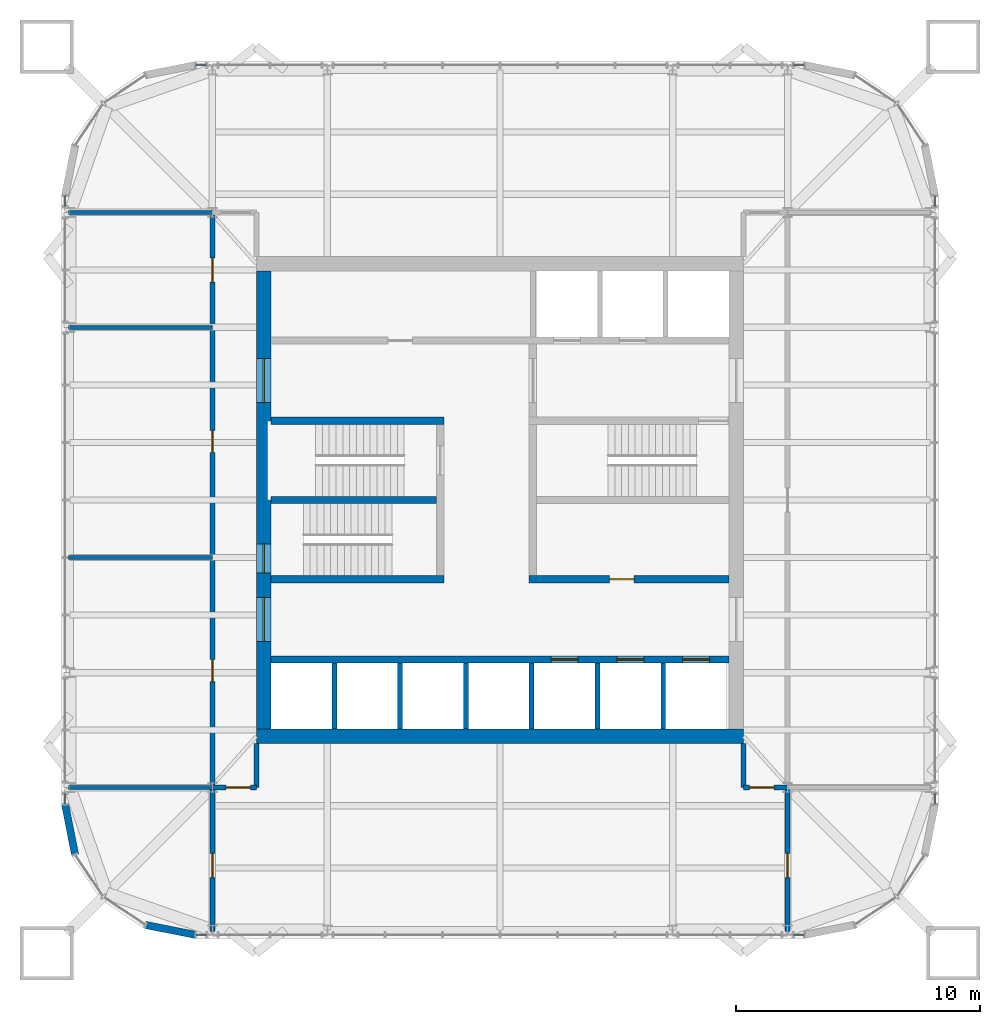
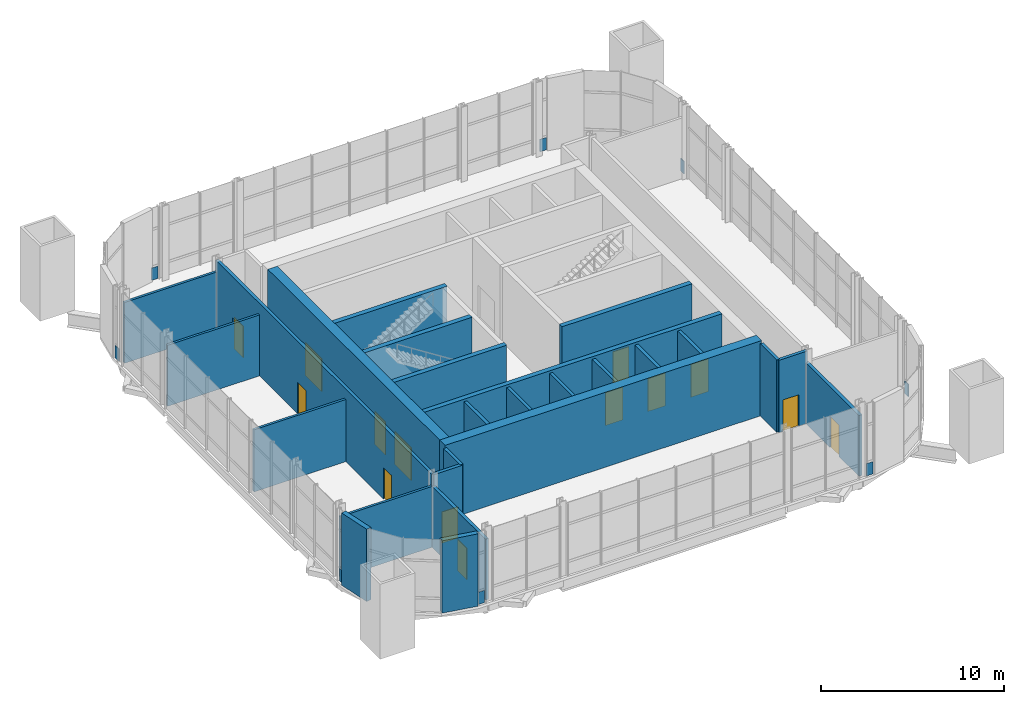
# One storey, part 13 of 15: 26 walls, 14 doors, 8 plates, 14 openings, 8 elements without a shape of their own.
"""IFC4 building model written with IfcOpenShell, lengths in metres."""

from ifc_helpers import new_model, si_unit, direction, frame, frame_2d, origin, origin_2d, place, context, subcontext, project, spatial, rectangle, extrude, material, layer, layer_set, type_object, element, fill, aggregate, save


model = new_model("IFC4")

# Units and contexts
model_context = context("Model", 3, precision=1e-05, world=origin(), true_north=direction((0.0, 1.0)))
body_context = subcontext(model_context, "Body", "Model", "MODEL_VIEW")
ifc_project = project(units=[si_unit("LENGTHUNIT", "METRE"), si_unit("AREAUNIT", "SQUARE_METRE"), si_unit("VOLUMEUNIT", "CUBIC_METRE"), si_unit("PLANEANGLEUNIT", "RADIAN"), si_unit("MASSUNIT", "GRAM", prefix="KILO")], contexts=[model_context])

# Site, building, storey
site_placement = place(None, origin())
site = spatial("IfcSite", under=ifc_project, at=site_placement, CompositionType="ELEMENT")
building_placement = place(site_placement, origin())
building = spatial("IfcBuilding", under=site, at=building_placement, Name="Turquesa Mirador Hotel Tower", CompositionType="ELEMENT")
storey_placement = place(building_placement, frame((0.0, 0.0, 261.699951171875)))
storey = spatial("IfcBuildingStorey", under=building, at=storey_placement, Name="L71", CompositionType="ELEMENT", Elevation=261.699951171875)

# Curtain wall, plate
ifc_material_1 = material(Name="Aluminium extrusion", Category="aluminium")
curtain_wall_type = type_object("IfcCurtainWallType", Name="CW-5 SKY RESTAURANT CURTAIN WALL", PredefinedType="USERDEFINED", material=ifc_material_1)
curtain_wall_1_placement = place(storey_placement, origin())
curtain_wall_1 = element("IfcCurtainWall", 1, at=curtain_wall_1_placement, inside=storey, type_object=curtain_wall_type, Name="CW-5 SKY RESTAURANT CURTAIN WALL L71", ObjectType="CURTAIN WALL", PredefinedType="USERDEFINED")
ifc_material_2 = material(Name="Ceramic-printed spandrel glass on an insulated back pan", Category="glass")
ifc_layer_1 = layer(ifc_material_2, 0.050048828125)
ifc_layer_set_1 = layer_set([ifc_layer_1], Name="CW PANEL SPANDREL CERAMIC")
plate_type = type_object("IfcPlateType", Name="CW PANEL SPANDREL CERAMIC", PredefinedType="CURTAIN_PANEL", material=ifc_layer_set_1)
plate_1_placement = place(storey_placement, frame((72.85009765625, 32.733154296875, 0.0), z_axis=(0.0, 0.0, 1.0), x_axis=(0.0, 1.0, 0.0)))
plate_1 = element("IfcPlate", 2, at=plate_1_placement, type_object=plate_type, Name="Panel", PredefinedType="CURTAIN_PANEL", context=body_context, shape_type="SweptSolid", body=[
    extrude(rectangle(XDim=0.401123046875, YDim=0.050048828125, at=origin_2d()), origin(), (0.0, 0.0, 1.0), 0.824951171875),
])
aggregate(curtain_wall_1, [plate_1])

curtain_wall_2_placement = place(storey_placement, origin())
curtain_wall_2 = element("IfcCurtainWall", 3, at=curtain_wall_2_placement, inside=storey, type_object=curtain_wall_type, Name="CW-5 SKY RESTAURANT CURTAIN WALL L71", ObjectType="CURTAIN WALL", PredefinedType="USERDEFINED")
plate_2_placement = place(storey_placement, frame((72.85009765625, 57.266845703125, 0.0), z_axis=(0.0, 0.0, 1.0), x_axis=(0.0, 1.0, 0.0)))
plate_2 = element("IfcPlate", 4, at=plate_2_placement, type_object=plate_type, Name="Panel", PredefinedType="CURTAIN_PANEL", context=body_context, shape_type="SweptSolid", body=[
    extrude(rectangle(XDim=0.401123046875, YDim=0.050048828125, at=origin_2d()), origin(), (0.0, 0.0, 1.0), 0.824951171875),
])
aggregate(curtain_wall_2, [plate_2])

curtain_wall_3_placement = place(storey_placement, origin())
curtain_wall_3 = element("IfcCurtainWall", 5, at=curtain_wall_3_placement, inside=storey, type_object=curtain_wall_type, Name="CW-5 SKY RESTAURANT CURTAIN WALL L71", ObjectType="CURTAIN WALL", PredefinedType="USERDEFINED")
plate_3_placement = place(storey_placement, frame((67.266845703125, 62.85009765625, 0.0), z_axis=(0.0, 0.0, 1.0), x_axis=(-1.0, 0.0, 0.0)))
plate_3 = element("IfcPlate", 6, at=plate_3_placement, type_object=plate_type, Name="Panel", PredefinedType="CURTAIN_PANEL", context=body_context, shape_type="SweptSolid", body=[
    extrude(rectangle(XDim=0.401123046875, YDim=0.050048828125, at=origin_2d()), origin(), (0.0, 0.0, 1.0), 0.824951171875),
])
aggregate(curtain_wall_3, [plate_3])

curtain_wall_4_placement = place(storey_placement, origin())
curtain_wall_4 = element("IfcCurtainWall", 7, at=curtain_wall_4_placement, inside=storey, type_object=curtain_wall_type, Name="CW-5 SKY RESTAURANT CURTAIN WALL L71", ObjectType="CURTAIN WALL", PredefinedType="USERDEFINED")
plate_4_placement = place(storey_placement, frame((42.733154296875, 62.85009765625, 0.0), z_axis=(0.0, 0.0, 1.0), x_axis=(-1.0, 0.0, 0.0)))
plate_4 = element("IfcPlate", 8, at=plate_4_placement, type_object=plate_type, Name="Panel", PredefinedType="CURTAIN_PANEL", context=body_context, shape_type="SweptSolid", body=[
    extrude(rectangle(XDim=0.401123046875, YDim=0.050048828125, at=origin_2d()), origin(), (0.0, 0.0, 1.0), 0.824951171875),
])
aggregate(curtain_wall_4, [plate_4])

curtain_wall_5_placement = place(storey_placement, origin())
curtain_wall_5 = element("IfcCurtainWall", 9, at=curtain_wall_5_placement, inside=storey, type_object=curtain_wall_type, Name="CW-5 SKY RESTAURANT CURTAIN WALL L71", ObjectType="CURTAIN WALL", PredefinedType="USERDEFINED")
plate_5_placement = place(storey_placement, frame((37.14990234375, 57.266845703125, 0.0), z_axis=(0.0, 0.0, 1.0), x_axis=(0.0, -1.0, 0.0)))
plate_5 = element("IfcPlate", 10, at=plate_5_placement, type_object=plate_type, Name="Panel", PredefinedType="CURTAIN_PANEL", context=body_context, shape_type="SweptSolid", body=[
    extrude(rectangle(XDim=0.401123046875, YDim=0.050048828125, at=origin_2d()), origin(), (0.0, 0.0, 1.0), 0.824951171875),
])
aggregate(curtain_wall_5, [plate_5])

curtain_wall_6_placement = place(storey_placement, origin())
curtain_wall_6 = element("IfcCurtainWall", 11, at=curtain_wall_6_placement, inside=storey, type_object=curtain_wall_type, Name="CW-5 SKY RESTAURANT CURTAIN WALL L71", ObjectType="CURTAIN WALL", PredefinedType="USERDEFINED")
plate_6_placement = place(storey_placement, frame((37.14990234375, 32.733154296875, 0.0), z_axis=(0.0, 0.0, 1.0), x_axis=(0.0, -1.0, 0.0)))
plate_6 = element("IfcPlate", 12, at=plate_6_placement, type_object=plate_type, Name="Panel", PredefinedType="CURTAIN_PANEL", context=body_context, shape_type="SweptSolid", body=[
    extrude(rectangle(XDim=0.401123046875, YDim=0.050048828125, at=origin_2d()), origin(), (0.0, 0.0, 1.0), 0.824951171875),
])
aggregate(curtain_wall_6, [plate_6])

curtain_wall_7_placement = place(storey_placement, origin())
curtain_wall_7 = element("IfcCurtainWall", 13, at=curtain_wall_7_placement, inside=storey, type_object=curtain_wall_type, Name="CW-5 SKY RESTAURANT CURTAIN WALL L71", ObjectType="CURTAIN WALL", PredefinedType="USERDEFINED")
plate_7_placement = place(storey_placement, frame((42.733154296875, 27.14990234375, 0.0), z_axis=(0.0, 0.0, 1.0), x_axis=(1.0, 0.0, 0.0)))
plate_7 = element("IfcPlate", 14, at=plate_7_placement, type_object=plate_type, Name="Panel", PredefinedType="CURTAIN_PANEL", context=body_context, shape_type="SweptSolid", body=[
    extrude(rectangle(XDim=0.401123046875, YDim=0.050048828125, at=origin_2d()), origin(), (0.0, 0.0, 1.0), 0.824951171875),
])
aggregate(curtain_wall_7, [plate_7])

curtain_wall_8_placement = place(storey_placement, origin())
curtain_wall_8 = element("IfcCurtainWall", 15, at=curtain_wall_8_placement, inside=storey, type_object=curtain_wall_type, Name="CW-5 SKY RESTAURANT CURTAIN WALL L71", ObjectType="CURTAIN WALL", PredefinedType="USERDEFINED")
plate_8_placement = place(storey_placement, frame((67.266845703125, 27.14990234375, 0.0), z_axis=(0.0, 0.0, 1.0), x_axis=(1.0, 0.0, 0.0)))
plate_8 = element("IfcPlate", 16, at=plate_8_placement, type_object=plate_type, Name="Panel", PredefinedType="CURTAIN_PANEL", context=body_context, shape_type="SweptSolid", body=[
    extrude(rectangle(XDim=0.401123046875, YDim=0.050048828125, at=origin_2d()), origin(), (0.0, 0.0, 1.0), 0.824951171875),
])
aggregate(curtain_wall_8, [plate_8])

# Wall, openings, doors
ifc_material_3 = material(Name="Concrete C50/60", Category="concrete")
ifc_layer_2 = layer(ifc_material_3, 0.300048828125)
ifc_layer_set_2 = layer_set([ifc_layer_2], Name="CORE INNER WALL 300")
wall_type_1 = type_object("IfcWallType", Name="CORE INNER WALL 300", PredefinedType="SHEAR", material=ifc_layer_set_2)
wall_1_placement = place(storey_placement, frame((45.60009765625, 38.449951171875, 0.0), z_axis=(0.0, 0.0, 1.0), x_axis=(1.0, 0.0, 0.0)))
wall_1 = element("IfcWall", 17, at=wall_1_placement, inside=storey, type_object=wall_type_1, Name="Core wall SL", PredefinedType="SHEAR", context=body_context, shape_type="SweptSolid", body=[
    extrude(rectangle(XDim=18.7998046875, YDim=0.300048828125, at=frame_2d((9.39990234375, 0.0))), origin(), (0.0, 0.0, 1.0), 5.0),
])
opening_1_placement = place(wall_1_placement, frame((11.5, 0.0, 0.0)))
opening_1 = element("IfcOpeningElement", 18, at=opening_1_placement, cuts=wall_1, Name="Opening LD", PredefinedType="OPENING", context=body_context, shape_type="SweptSolid", body=[
    extrude(rectangle(XDim=1.10009765625, YDim=2.199951171875, at=frame_2d((0.550048828125, 1.10009765625))), frame((0.0, 0.159912109375, 0.0), z_axis=(0.0, -1.0, 0.0), x_axis=(1.0, 0.0, 0.0)), (0.0, 0.0, 1.0), 0.320068359375),
])
opening_2_placement = place(wall_1_placement, frame((14.199951171875, 0.0, 0.0)))
opening_2 = element("IfcOpeningElement", 19, at=opening_2_placement, cuts=wall_1, Name="Opening LD", PredefinedType="OPENING", context=body_context, shape_type="SweptSolid", body=[
    extrude(rectangle(XDim=1.10009765625, YDim=2.199951171875, at=frame_2d((0.550048828125, 1.10009765625))), frame((0.0, 0.159912109375, 0.0), z_axis=(0.0, -1.0, 0.0), x_axis=(1.0, 0.0, 0.0)), (0.0, 0.0, 1.0), 0.320068359375),
])
opening_3_placement = place(wall_1_placement, frame((16.89990234375, 0.0, 0.0)))
opening_3 = element("IfcOpeningElement", 20, at=opening_3_placement, cuts=wall_1, Name="Opening LD", PredefinedType="OPENING", context=body_context, shape_type="SweptSolid", body=[
    extrude(rectangle(XDim=1.10009765625, YDim=2.199951171875, at=frame_2d((0.550048828125, 1.10009765625))), frame((0.0, 0.159912109375, 0.0), z_axis=(0.0, -1.0, 0.0), x_axis=(1.0, 0.0, 0.0)), (0.0, 0.0, 1.0), 0.320068359375),
])
ifc_material_4 = material(Name="Stainless steel lift landing door", Category="steel")
door_type_1 = type_object("IfcDoorType", Name="LIFT LANDING DOOR 1100X2200", OperationType="SLIDING_TO_LEFT", PredefinedType="DOOR", material=ifc_material_4)
door_1_placement = place(opening_1_placement, origin())
door_1 = element("IfcDoor", 21, at=door_1_placement, inside=storey, type_object=door_type_1, Name="Lift X1 landing door", OperationType="SLIDING_TO_LEFT", OverallHeight=2.199951171875, OverallWidth=1.10009765625, PredefinedType="DOOR", context=body_context, shape_type="SweptSolid", body=[
    extrude(rectangle(XDim=1.10009765625, YDim=2.199951171875, at=frame_2d((0.550048828125, 1.10009765625))), frame((0.0, 0.02490234375, 0.0), z_axis=(0.0, -1.0, 0.0), x_axis=(1.0, 0.0, 0.0)), (0.0, 0.0, 1.0), 0.050048828125),
])
fill(opening_1, door_1)
door_2_placement = place(opening_2_placement, origin())
door_2 = element("IfcDoor", 22, at=door_2_placement, inside=storey, type_object=door_type_1, Name="Lift X2 landing door", OperationType="SLIDING_TO_LEFT", OverallHeight=2.199951171875, OverallWidth=1.10009765625, PredefinedType="DOOR", context=body_context, shape_type="SweptSolid", body=[
    extrude(rectangle(XDim=1.10009765625, YDim=2.199951171875, at=frame_2d((0.550048828125, 1.10009765625))), frame((0.0, 0.02490234375, 0.0), z_axis=(0.0, -1.0, 0.0), x_axis=(1.0, 0.0, 0.0)), (0.0, 0.0, 1.0), 0.050048828125),
])
fill(opening_2, door_2)
door_3_placement = place(opening_3_placement, origin())
door_3 = element("IfcDoor", 23, at=door_3_placement, inside=storey, type_object=door_type_1, Name="Lift X3 landing door", OperationType="SLIDING_TO_LEFT", OverallHeight=2.199951171875, OverallWidth=1.10009765625, PredefinedType="DOOR", context=body_context, shape_type="SweptSolid", body=[
    extrude(rectangle(XDim=1.10009765625, YDim=2.199951171875, at=frame_2d((0.550048828125, 1.10009765625))), frame((0.0, 0.02490234375, 0.0), z_axis=(0.0, -1.0, 0.0), x_axis=(1.0, 0.0, 0.0)), (0.0, 0.0, 1.0), 0.050048828125),
])
fill(opening_3, door_3)

# Walls
for number, where, z_axis, x_axis, name in (
    (24, (45.60009765625, 48.25, 0.0), (0.0, 0.0, 1.0), (1.0, 0.0, 0.0), "Core wall MN-W"),
    (25, (45.60009765625, 41.75, 0.0), (0.0, 0.0, 1.0), (1.0, 0.0, 0.0), "Core wall MS-W"),
):
    element("IfcWall", number, at=place(storey_placement, frame(where, z_axis=z_axis, x_axis=x_axis)), inside=storey, type_object=wall_type_1, Name=name, PredefinedType="SHEAR", context=body_context, shape_type="SweptSolid", body=[
        extrude(rectangle(XDim=7.099853515625, YDim=0.300048828125, at=frame_2d((3.5498046875, 0.0))), origin(), (0.0, 0.0, 1.0), 5.0),
    ])

# Wall, opening, door
wall_2_placement = place(storey_placement, frame((56.199951171875, 41.75, 0.0), z_axis=(0.0, 0.0, 1.0), x_axis=(1.0, 0.0, 0.0)))
wall_2 = element("IfcWall", 26, at=wall_2_placement, inside=storey, type_object=wall_type_1, Name="Core wall MS-E", PredefinedType="SHEAR", context=body_context, shape_type="SweptSolid", body=[
    extrude(rectangle(XDim=8.199951171875, YDim=0.300048828125, at=frame_2d((4.10009765625, 0.0))), origin(), (0.0, 0.0, 1.0), 5.0),
])
opening_4_placement = place(wall_2_placement, frame((3.300048828125, 0.0, 0.0)))
opening_4 = element("IfcOpeningElement", 27, at=opening_4_placement, cuts=wall_2, Name="Opening D05", PredefinedType="OPENING", context=body_context, shape_type="SweptSolid", body=[
    extrude(rectangle(XDim=1.0, YDim=2.10009765625, at=frame_2d((0.5, 1.050048828125))), frame((0.0, 0.159912109375, 0.0), z_axis=(0.0, -1.0, 0.0), x_axis=(1.0, 0.0, 0.0)), (0.0, 0.0, 1.0), 0.320068359375),
])
ifc_material_5 = material(Name="Steel fire door", Category="steel")
door_type_2 = type_object("IfcDoorType", Name="DOOR 1000X2100 SERVICE", OperationType="SINGLE_SWING_LEFT", PredefinedType="DOOR", material=ifc_material_5)
door_4_placement = place(opening_4_placement, origin())
door_4 = element("IfcDoor", 28, at=door_4_placement, inside=storey, type_object=door_type_2, Name="Housekeeping room door", OperationType="SINGLE_SWING_LEFT", OverallHeight=2.10009765625, OverallWidth=1.0, PredefinedType="DOOR", context=body_context, shape_type="SweptSolid", body=[
    extrude(rectangle(XDim=1.0, YDim=2.10009765625, at=frame_2d((0.5, 1.050048828125))), frame((0.0, 0.02490234375, 0.0), z_axis=(0.0, -1.0, 0.0), x_axis=(1.0, 0.0, 0.0)), (0.0, 0.0, 1.0), 0.050048828125),
])
fill(opening_4, door_4)

# Walls
wall_3_placement = place(storey_placement, frame((45.60009765625, 45.0, 0.0), z_axis=(0.0, 0.0, 1.0), x_axis=(1.0, 0.0, 0.0)))
element("IfcWall", 29, at=wall_3_placement, inside=storey, type_object=wall_type_1, Name="Core wall M0-W", PredefinedType="SHEAR", context=body_context, shape_type="SweptSolid", body=[
    extrude(rectangle(XDim=6.7998046875, YDim=0.300048828125, at=frame_2d((3.39990234375, 0.0))), origin(), (0.0, 0.0, 1.0), 5.0),
])
ifc_material_6 = material(Name="Concrete C50/60", Category="concrete")
ifc_layer_3 = layer(ifc_material_6, 0.60009765625)
ifc_layer_set_3 = layer_set([ifc_layer_3], Name="CORE WALL 600")
wall_type_2 = type_object("IfcWallType", Name="CORE WALL 600", PredefinedType="SHEAR", material=ifc_layer_set_3)
wall_4_placement = place(storey_placement, frame((45.0, 35.300048828125, 0.0), z_axis=(0.0, 0.0, 1.0), x_axis=(1.0, 0.0, 0.0)))
element("IfcWall", 30, at=wall_4_placement, inside=storey, type_object=wall_type_2, Name="Core wall S", PredefinedType="SHEAR", context=body_context, shape_type="SweptSolid", body=[
    extrude(rectangle(XDim=20.0, YDim=0.60009765625, at=frame_2d((10.0, 0.0))), origin(), (0.0, 0.0, 1.0), 5.0),
])

# Wall, openings, doors
wall_5_placement = place(storey_placement, frame((45.300048828125, 35.60009765625, 0.0), z_axis=(0.0, 0.0, 1.0), x_axis=(0.0, 1.0, 0.0)))
wall_5 = element("IfcWall", 31, at=wall_5_placement, inside=storey, type_object=wall_type_2, Name="Core wall W", PredefinedType="SHEAR", context=body_context, shape_type="SweptSolid", body=[
    extrude(rectangle(XDim=18.7998046875, YDim=0.60009765625, at=frame_2d((9.39990234375, 0.0))), origin(), (0.0, 0.0, 1.0), 5.0),
])
opening_5_placement = place(wall_5_placement, frame((13.39990234375, 0.0, 0.0)))
opening_5 = element("IfcOpeningElement", 32, at=opening_5_placement, cuts=wall_5, Name="Opening D04", PredefinedType="OPENING", context=body_context, shape_type="SweptSolid", body=[
    extrude(rectangle(XDim=1.800048828125, YDim=2.199951171875, at=frame_2d((0.89990234375, 1.10009765625))), frame((0.0, 0.31005859375, 0.0), z_axis=(0.0, -1.0, 0.0), x_axis=(1.0, 0.0, 0.0)), (0.0, 0.0, 1.0), 0.6201171875),
])
opening_6_placement = place(wall_5_placement, frame((3.60009765625, 0.0, 0.0)))
opening_6 = element("IfcOpeningElement", 33, at=opening_6_placement, cuts=wall_5, Name="Opening D04", PredefinedType="OPENING", context=body_context, shape_type="SweptSolid", body=[
    extrude(rectangle(XDim=1.800048828125, YDim=2.199951171875, at=frame_2d((0.89990234375, 1.10009765625))), frame((0.0, 0.31005859375, 0.0), z_axis=(0.0, -1.0, 0.0), x_axis=(1.0, 0.0, 0.0)), (0.0, 0.0, 1.0), 0.6201171875),
])
opening_7_placement = place(wall_5_placement, frame((6.39990234375, 0.0, 0.0)))
opening_7 = element("IfcOpeningElement", 34, at=opening_7_placement, cuts=wall_5, Name="Opening D03", PredefinedType="OPENING", context=body_context, shape_type="SweptSolid", body=[
    extrude(rectangle(XDim=1.199951171875, YDim=2.199951171875, at=frame_2d((0.60009765625, 1.10009765625))), frame((0.0, 0.31005859375, 0.0), z_axis=(0.0, -1.0, 0.0), x_axis=(1.0, 0.0, 0.0)), (0.0, 0.0, 1.0), 0.6201171875),
])
ifc_material_7 = material(Name="Steel fire door", Category="steel")
door_type_3 = type_object("IfcDoorType", Name="DOOR 1200X2200 STAIR", OperationType="SINGLE_SWING_LEFT", PredefinedType="DOOR", material=ifc_material_7)
door_5_placement = place(opening_7_placement, origin())
door_5 = element("IfcDoor", 35, at=door_5_placement, inside=storey, type_object=door_type_3, Name="Stair ST2 door", OperationType="SINGLE_SWING_LEFT", OverallHeight=2.199951171875, OverallWidth=1.199951171875, PredefinedType="DOOR", context=body_context, shape_type="SweptSolid", body=[
    extrude(rectangle(XDim=1.199951171875, YDim=2.199951171875, at=frame_2d((0.60009765625, 1.10009765625))), frame((0.0, 0.02490234375, 0.0), z_axis=(0.0, -1.0, 0.0), x_axis=(1.0, 0.0, 0.0)), (0.0, 0.0, 1.0), 0.050048828125),
])
fill(opening_7, door_5)
ifc_material_8 = material(Name="Steel fire door pair", Category="steel")
door_type_4 = type_object("IfcDoorType", Name="DOOR 1800X2200 PAIR", OperationType="DOUBLE_DOOR_SINGLE_SWING", PredefinedType="DOOR", material=ifc_material_8)
door_6_placement = place(opening_5_placement, origin())
door_6 = element("IfcDoor", 36, at=door_6_placement, inside=storey, type_object=door_type_4, Name="North lift lobby door", OperationType="DOUBLE_DOOR_SINGLE_SWING", OverallHeight=2.199951171875, OverallWidth=1.800048828125, PredefinedType="DOOR", context=body_context, shape_type="SweptSolid", body=[
    extrude(rectangle(XDim=1.800048828125, YDim=2.199951171875, at=frame_2d((0.89990234375, 1.10009765625))), frame((0.0, 0.02490234375, 0.0), z_axis=(0.0, -1.0, 0.0), x_axis=(1.0, 0.0, 0.0)), (0.0, 0.0, 1.0), 0.050048828125),
])
fill(opening_5, door_6)
door_7_placement = place(opening_6_placement, origin())
door_7 = element("IfcDoor", 37, at=door_7_placement, inside=storey, type_object=door_type_4, Name="South lift lobby door", OperationType="DOUBLE_DOOR_SINGLE_SWING", OverallHeight=2.199951171875, OverallWidth=1.800048828125, PredefinedType="DOOR", context=body_context, shape_type="SweptSolid", body=[
    extrude(rectangle(XDim=1.800048828125, YDim=2.199951171875, at=frame_2d((0.89990234375, 1.10009765625))), frame((0.0, 0.02490234375, 0.0), z_axis=(0.0, -1.0, 0.0), x_axis=(1.0, 0.0, 0.0)), (0.0, 0.0, 1.0), 0.050048828125),
])
fill(opening_6, door_7)

# Wall, opening, door
ifc_material_9 = material(Name="Fire-rated gypsum board on steel studs", Category="steel")
ifc_layer_4 = layer(ifc_material_9, 0.199951171875)
ifc_layer_set_4 = layer_set([ifc_layer_4], Name="CORRIDOR WALL 200")
wall_type_3 = type_object("IfcWallType", Name="CORRIDOR WALL 200", PredefinedType="PARTITIONING", material=ifc_layer_set_4)
wall_6_placement = place(storey_placement, frame((43.199951171875, 33.199951171875, 0.0), z_axis=(0.0, 0.0, 1.0), x_axis=(1.0, 0.0, 0.0)))
wall_6 = element("IfcWall", 38, at=wall_6_placement, inside=storey, type_object=wall_type_3, Name="Partition L71 001", PredefinedType="PARTITIONING", context=body_context, shape_type="SweptSolid", body=[
    extrude(rectangle(XDim=1.800048828125, YDim=0.199951171875, at=frame_2d((0.89990234375, 0.0))), origin(), (0.0, 0.0, 1.0), 4.830078125),
])
opening_8_placement = place(wall_6_placement, frame((0.550048828125, 0.0, 0.0)))
opening_8 = element("IfcOpeningElement", 39, at=opening_8_placement, cuts=wall_6, Name="Opening D05", PredefinedType="OPENING", context=body_context, shape_type="SweptSolid", body=[
    extrude(rectangle(XDim=1.0, YDim=2.10009765625, at=frame_2d((0.5, 1.050048828125))), frame((0.0, 0.10986328125, 0.0), z_axis=(0.0, -1.0, 0.0), x_axis=(1.0, 0.0, 0.0)), (0.0, 0.0, 1.0), 0.219970703125),
])
door_8_placement = place(opening_8_placement, origin())
door_8 = element("IfcDoor", 40, at=door_8_placement, inside=storey, type_object=door_type_2, Name="Door L71-02", OperationType="SINGLE_SWING_LEFT", OverallHeight=2.10009765625, OverallWidth=1.0, PredefinedType="DOOR", context=body_context, shape_type="SweptSolid", body=[
    extrude(rectangle(XDim=1.0, YDim=2.10009765625, at=frame_2d((0.5, 1.050048828125))), frame((0.0, 0.02490234375, 0.0), z_axis=(0.0, -1.0, 0.0), x_axis=(1.0, 0.0, 0.0)), (0.0, 0.0, 1.0), 0.050048828125),
])
fill(opening_8, door_8)

wall_7_placement = place(storey_placement, frame((65.0, 33.199951171875, 0.0), z_axis=(0.0, 0.0, 1.0), x_axis=(1.0, 0.0, 0.0)))
wall_7 = element("IfcWall", 41, at=wall_7_placement, inside=storey, type_object=wall_type_3, Name="Partition L71 002", PredefinedType="PARTITIONING", context=body_context, shape_type="SweptSolid", body=[
    extrude(rectangle(XDim=1.800048828125, YDim=0.199951171875, at=frame_2d((0.89990234375, 0.0))), origin(), (0.0, 0.0, 1.0), 4.830078125),
])
opening_9_placement = place(wall_7_placement, frame((0.25, 0.0, 0.0)))
opening_9 = element("IfcOpeningElement", 42, at=opening_9_placement, cuts=wall_7, Name="Opening D05", PredefinedType="OPENING", context=body_context, shape_type="SweptSolid", body=[
    extrude(rectangle(XDim=1.0, YDim=2.10009765625, at=frame_2d((0.5, 1.050048828125))), frame((0.0, 0.10986328125, 0.0), z_axis=(0.0, -1.0, 0.0), x_axis=(1.0, 0.0, 0.0)), (0.0, 0.0, 1.0), 0.219970703125),
])
door_9_placement = place(opening_9_placement, origin())
door_9 = element("IfcDoor", 43, at=door_9_placement, inside=storey, type_object=door_type_2, Name="Door L71-02-1", OperationType="SINGLE_SWING_LEFT", OverallHeight=2.10009765625, OverallWidth=1.0, PredefinedType="DOOR", context=body_context, shape_type="SweptSolid", body=[
    extrude(rectangle(XDim=1.0, YDim=2.10009765625, at=frame_2d((0.5, 1.050048828125))), frame((0.0, 0.02490234375, 0.0), z_axis=(0.0, -1.0, 0.0), x_axis=(1.0, 0.0, 0.0)), (0.0, 0.0, 1.0), 0.050048828125),
])
fill(opening_9, door_9)

# Wall
wall_8_placement = place(storey_placement, frame((45.0, 33.199951171875, 0.0), z_axis=(0.0, 0.0, 1.0), x_axis=(0.0, 1.0, 0.0)))
element("IfcWall", 44, at=wall_8_placement, inside=storey, type_object=wall_type_3, Name="Partition L71 011", PredefinedType="PARTITIONING", context=body_context, shape_type="SweptSolid", body=[
    extrude(rectangle(XDim=1.800048828125, YDim=0.199951171875, at=frame_2d((0.89990234375, 0.0))), origin(), (0.0, 0.0, 1.0), 4.830078125),
])

# Wall, openings, doors
wall_9_placement = place(storey_placement, frame((43.199951171875, 33.199951171875, 0.0), z_axis=(0.0, 0.0, 1.0), x_axis=(0.0, 1.0, 0.0)))
wall_9 = element("IfcWall", 45, at=wall_9_placement, inside=storey, type_object=wall_type_3, Name="Partition L71 013", PredefinedType="PARTITIONING", context=body_context, shape_type="SweptSolid", body=[
    extrude(rectangle(XDim=23.60009765625, YDim=0.199951171875, at=frame_2d((11.800048828125, 0.0))), origin(), (0.0, 0.0, 1.0), 4.830078125),
])
opening_10_placement = place(wall_9_placement, frame((20.739990234375, 0.0, 0.0)))
opening_10 = element("IfcOpeningElement", 46, at=opening_10_placement, cuts=wall_9, Name="Opening D07", PredefinedType="OPENING", context=body_context, shape_type="SweptSolid", body=[
    extrude(rectangle(XDim=1.0, YDim=2.10009765625, at=frame_2d((0.5, 1.050048828125))), frame((0.0, 0.10986328125, 0.0), z_axis=(0.0, -1.0, 0.0), x_axis=(1.0, 0.0, 0.0)), (0.0, 0.0, 1.0), 0.219970703125),
])
opening_11_placement = place(wall_9_placement, frame((4.35009765625, 0.0, 0.0)))
opening_11 = element("IfcOpeningElement", 47, at=opening_11_placement, cuts=wall_9, Name="Opening D06", PredefinedType="OPENING", context=body_context, shape_type="SweptSolid", body=[
    extrude(rectangle(XDim=0.89990234375, YDim=2.10009765625, at=frame_2d((0.449951171875, 1.050048828125))), frame((0.0, 0.10986328125, 0.0), z_axis=(0.0, -1.0, 0.0), x_axis=(1.0, 0.0, 0.0)), (0.0, 0.0, 1.0), 0.219970703125),
])
opening_12_placement = place(wall_9_placement, frame((13.75, 0.0, 0.0)))
opening_12 = element("IfcOpeningElement", 48, at=opening_12_placement, cuts=wall_9, Name="Opening D06", PredefinedType="OPENING", context=body_context, shape_type="SweptSolid", body=[
    extrude(rectangle(XDim=0.89990234375, YDim=2.10009765625, at=frame_2d((0.449951171875, 1.050048828125))), frame((0.0, 0.10986328125, 0.0), z_axis=(0.0, -1.0, 0.0), x_axis=(1.0, 0.0, 0.0)), (0.0, 0.0, 1.0), 0.219970703125),
])
ifc_material_10 = material(Name="Laminate sliding door", Category="wood")
door_type_5 = type_object("IfcDoorType", Name="DOOR 1000X2100 ACCESSIBLE WC", OperationType="SLIDING_TO_LEFT", PredefinedType="DOOR", material=ifc_material_10)
door_10_placement = place(opening_10_placement, origin())
door_10 = element("IfcDoor", 49, at=door_10_placement, inside=storey, type_object=door_type_5, Name="Door L71-08", OperationType="SLIDING_TO_LEFT", OverallHeight=2.10009765625, OverallWidth=1.0, PredefinedType="DOOR", context=body_context, shape_type="SweptSolid", body=[
    extrude(rectangle(XDim=1.0, YDim=2.10009765625, at=frame_2d((0.5, 1.050048828125))), frame((0.0, 0.02490234375, 0.0), z_axis=(0.0, -1.0, 0.0), x_axis=(1.0, 0.0, 0.0)), (0.0, 0.0, 1.0), 0.050048828125),
])
fill(opening_10, door_10)
ifc_material_11 = material(Name="Laminate door", Category="wood")
door_type_6 = type_object("IfcDoorType", Name="DOOR 900X2100 WC", OperationType="SINGLE_SWING_LEFT", PredefinedType="DOOR", material=ifc_material_11)
door_11_placement = place(opening_11_placement, origin())
door_11 = element("IfcDoor", 50, at=door_11_placement, inside=storey, type_object=door_type_6, Name="Door L71-06", OperationType="SINGLE_SWING_LEFT", OverallHeight=2.10009765625, OverallWidth=0.89990234375, PredefinedType="DOOR", context=body_context, shape_type="SweptSolid", body=[
    extrude(rectangle(XDim=0.89990234375, YDim=2.10009765625, at=frame_2d((0.449951171875, 1.050048828125))), frame((0.0, 0.02490234375, 0.0), z_axis=(0.0, -1.0, 0.0), x_axis=(1.0, 0.0, 0.0)), (0.0, 0.0, 1.0), 0.050048828125),
])
fill(opening_11, door_11)
door_12_placement = place(opening_12_placement, origin())
door_12 = element("IfcDoor", 51, at=door_12_placement, inside=storey, type_object=door_type_6, Name="Door L71-07", OperationType="SINGLE_SWING_LEFT", OverallHeight=2.10009765625, OverallWidth=0.89990234375, PredefinedType="DOOR", context=body_context, shape_type="SweptSolid", body=[
    extrude(rectangle(XDim=0.89990234375, YDim=2.10009765625, at=frame_2d((0.449951171875, 1.050048828125))), frame((0.0, 0.02490234375, 0.0), z_axis=(0.0, -1.0, 0.0), x_axis=(1.0, 0.0, 0.0)), (0.0, 0.0, 1.0), 0.050048828125),
])
fill(opening_12, door_12)

# Walls
wall_10_placement = place(storey_placement, frame((65.0, 33.199951171875, 0.0), z_axis=(0.0, 0.0, 1.0), x_axis=(0.0, 1.0, 0.0)))
element("IfcWall", 52, at=wall_10_placement, inside=storey, type_object=wall_type_3, Name="Partition L71 015", PredefinedType="PARTITIONING", context=body_context, shape_type="SweptSolid", body=[
    extrude(rectangle(XDim=1.800048828125, YDim=0.199951171875, at=frame_2d((0.89990234375, 0.0))), origin(), (0.0, 0.0, 1.0), 4.830078125),
])
ifc_material_12 = material(Name="Limestone cladding on concrete block", Category="masonry")
ifc_layer_5 = layer(ifc_material_12, 0.300048828125)
ifc_layer_set_5 = layer_set([ifc_layer_5], Name="FACADE WALL 300 STONE PIER")
wall_type_4 = type_object("IfcWallType", Name="FACADE WALL 300 STONE PIER", PredefinedType="SOLIDWALL", material=ifc_layer_set_5)
for number, where, z_axis, x_axis, name in (
    (53, (37.14990234375, 32.5, 0.0), (0.0, 0.0, 1.0), (0.195081421501, -0.980787050784, 0.0), "Facade wall L71 bay CWR-L71-06 00"),
    (54, (40.45263671875, 27.55712890625, 0.0), (0.0, 0.0, 1.0), (0.980787050784, -0.195081421501, 0.0), "Facade wall L71 bay CWR-L71-06 03"),
):
    element("IfcWall", number, at=place(storey_placement, frame(where, z_axis=z_axis, x_axis=x_axis)), inside=storey, type_object=wall_type_4, Name=name, PredefinedType="SOLIDWALL", context=body_context, shape_type="SweptSolid", body=[
        extrude(rectangle(XDim=2.08740234375, YDim=0.300048828125, at=frame_2d((1.043701171875, 0.0))), origin(), (0.0, 0.0, 1.0), 4.830078125),
    ])

# Wall, opening, door
ifc_material_13 = material(Name="Fire-rated gypsum board on steel studs", Category="steel")
ifc_layer_6 = layer(ifc_material_13, 0.199951171875)
ifc_layer_set_6 = layer_set([ifc_layer_6], Name="FIRE PARTITION 200")
wall_type_5 = type_object("IfcWallType", Name="FIRE PARTITION 200", PredefinedType="PARTITIONING", material=ifc_layer_set_6)
wall_11_placement = place(storey_placement, frame((43.199951171875, 27.300048828125, 0.0), z_axis=(0.0, 0.0, 1.0), x_axis=(0.0, 1.0, 0.0)))
wall_11 = element("IfcWall", 55, at=wall_11_placement, inside=storey, type_object=wall_type_5, Name="Partition L71 014", PredefinedType="PARTITIONING", context=body_context, shape_type="SweptSolid", body=[
    extrude(rectangle(XDim=5.89990234375, YDim=0.199951171875, at=frame_2d((2.949951171875, 0.0))), origin(), (0.0, 0.0, 1.0), 4.068115234375),
])
opening_13_placement = place(wall_11_placement, frame((2.199951171875, 0.0, 0.0)))
opening_13 = element("IfcOpeningElement", 56, at=opening_13_placement, cuts=wall_11, Name="Opening D05", PredefinedType="OPENING", context=body_context, shape_type="SweptSolid", body=[
    extrude(rectangle(XDim=1.0, YDim=2.10009765625, at=frame_2d((0.5, 1.050048828125))), frame((0.0, 0.10986328125, 0.0), z_axis=(0.0, -1.0, 0.0), x_axis=(1.0, 0.0, 0.0)), (0.0, 0.0, 1.0), 0.219970703125),
])
door_13_placement = place(opening_13_placement, origin())
door_13 = element("IfcDoor", 57, at=door_13_placement, inside=storey, type_object=door_type_2, Name="Door L71-04", OperationType="SINGLE_SWING_LEFT", OverallHeight=2.10009765625, OverallWidth=1.0, PredefinedType="DOOR", context=body_context, shape_type="SweptSolid", body=[
    extrude(rectangle(XDim=1.0, YDim=2.10009765625, at=frame_2d((0.5, 1.050048828125))), frame((0.0, 0.02490234375, 0.0), z_axis=(0.0, -1.0, 0.0), x_axis=(1.0, 0.0, 0.0)), (0.0, 0.0, 1.0), 0.050048828125),
])
fill(opening_13, door_13)

wall_12_placement = place(storey_placement, frame((66.800048828125, 27.300048828125, 0.0), z_axis=(0.0, 0.0, 1.0), x_axis=(0.0, 1.0, 0.0)))
wall_12 = element("IfcWall", 58, at=wall_12_placement, inside=storey, type_object=wall_type_5, Name="Partition L71 018", PredefinedType="PARTITIONING", context=body_context, shape_type="SweptSolid", body=[
    extrude(rectangle(XDim=5.89990234375, YDim=0.199951171875, at=frame_2d((2.949951171875, 0.0))), origin(), (0.0, 0.0, 1.0), 4.068115234375),
])
opening_14_placement = place(wall_12_placement, frame((2.199951171875, 0.0, 0.0)))
opening_14 = element("IfcOpeningElement", 59, at=opening_14_placement, cuts=wall_12, Name="Opening D05", PredefinedType="OPENING", context=body_context, shape_type="SweptSolid", body=[
    extrude(rectangle(XDim=1.0, YDim=2.10009765625, at=frame_2d((0.5, 1.050048828125))), frame((0.0, 0.10986328125, 0.0), z_axis=(0.0, -1.0, 0.0), x_axis=(1.0, 0.0, 0.0)), (0.0, 0.0, 1.0), 0.219970703125),
])
door_14_placement = place(opening_14_placement, origin())
door_14 = element("IfcDoor", 60, at=door_14_placement, inside=storey, type_object=door_type_2, Name="Door L71-03", OperationType="SINGLE_SWING_LEFT", OverallHeight=2.10009765625, OverallWidth=1.0, PredefinedType="DOOR", context=body_context, shape_type="SweptSolid", body=[
    extrude(rectangle(XDim=1.0, YDim=2.10009765625, at=frame_2d((0.5, 1.050048828125))), frame((0.0, 0.02490234375, 0.0), z_axis=(0.0, -1.0, 0.0), x_axis=(1.0, 0.0, 0.0)), (0.0, 0.0, 1.0), 0.050048828125),
])
fill(opening_14, door_14)

# Walls
ifc_material_14 = material(Name="Fire-rated gypsum shaft wall on steel studs", Category="steel")
ifc_layer_7 = layer(ifc_material_14, 0.199951171875)
ifc_layer_set_7 = layer_set([ifc_layer_7], Name="LIFT SHAFT DIVIDER 200")
wall_type_6 = type_object("IfcWallType", Name="LIFT SHAFT DIVIDER 200", PredefinedType="PARTITIONING", material=ifc_layer_set_7)
for number, where, z_axis, x_axis, name in (
    (61, (48.199951171875, 35.60009765625, 0.0), (0.0, 0.0, 1.0), (0.0, 1.0, 0.0), "Lift shaft divider"),
    (62, (50.89990234375, 35.60009765625, 0.0), (0.0, 0.0, 1.0), (0.0, 1.0, 0.0), "Lift shaft divider"),
    (63, (53.60009765625, 35.60009765625, 0.0), (0.0, 0.0, 1.0), (0.0, 1.0, 0.0), "Lift shaft divider"),
    (64, (56.300048828125, 35.60009765625, 0.0), (0.0, 0.0, 1.0), (0.0, 1.0, 0.0), "Lift shaft divider"),
    (65, (59.0, 35.60009765625, 0.0), (0.0, 0.0, 1.0), (0.0, 1.0, 0.0), "Lift shaft divider"),
    (66, (61.699951171875, 35.60009765625, 0.0), (0.0, 0.0, 1.0), (0.0, 1.0, 0.0), "Lift shaft divider"),
):
    element("IfcWall", number, at=place(storey_placement, frame(where, z_axis=z_axis, x_axis=x_axis)), inside=storey, type_object=wall_type_6, Name=name, PredefinedType="PARTITIONING", context=body_context, shape_type="SweptSolid", body=[
        extrude(rectangle(XDim=2.699951171875, YDim=0.199951171875, at=frame_2d((1.35009765625, 0.0))), origin(), (0.0, 0.0, 1.0), 4.830078125),
    ])
ifc_material_15 = material(Name="Gypsum board on steel studs", Category="steel")
ifc_layer_8 = layer(ifc_material_15, 0.14990234375)
ifc_layer_set_8 = layer_set([ifc_layer_8], Name="PARTITION 150")
wall_type_7 = type_object("IfcWallType", Name="PARTITION 150", PredefinedType="PARTITIONING", material=ifc_layer_set_8)
wall_13_placement = place(storey_placement, frame((37.300048828125, 33.199951171875, 0.0), z_axis=(0.0, 0.0, 1.0), x_axis=(1.0, 0.0, 0.0)))
element("IfcWall", 67, at=wall_13_placement, inside=storey, type_object=wall_type_7, Name="Partition L71 003", PredefinedType="PARTITIONING", context=body_context, shape_type="SweptSolid", body=[
    extrude(rectangle(XDim=5.89990234375, YDim=0.14990234375, at=frame_2d((2.949951171875, 0.0))), origin(), (0.0, 0.0, 1.0), 4.068115234375),
])
wall_14_placement = place(storey_placement, frame((37.300048828125, 42.639892578125, 0.0), z_axis=(0.0, 0.0, 1.0), x_axis=(1.0, 0.0, 0.0)))
element("IfcWall", 68, at=wall_14_placement, inside=storey, type_object=wall_type_7, Name="Partition L71 005", PredefinedType="PARTITIONING", context=body_context, shape_type="SweptSolid", body=[
    extrude(rectangle(XDim=5.89990234375, YDim=0.14990234375, at=frame_2d((2.949951171875, 0.0))), origin(), (0.0, 0.0, 1.0), 4.146728515625),
])
for number, where, z_axis, x_axis, name in (
    (69, (37.300048828125, 56.800048828125, 0.0), (0.0, 0.0, 1.0), (1.0, 0.0, 0.0), "Partition L71 008"),
    (70, (37.300048828125, 52.080078125, 0.0), (0.0, 0.0, 1.0), (1.0, 0.0, 0.0), "Partition L71 010"),
):
    element("IfcWall", number, at=place(storey_placement, frame(where, z_axis=z_axis, x_axis=x_axis)), inside=storey, type_object=wall_type_7, Name=name, PredefinedType="PARTITIONING", context=body_context, shape_type="SweptSolid", body=[
        extrude(rectangle(XDim=5.89990234375, YDim=0.14990234375, at=frame_2d((2.949951171875, 0.0))), origin(), (0.0, 0.0, 1.0), 4.068115234375),
    ])

save(model, "model.ifc")
